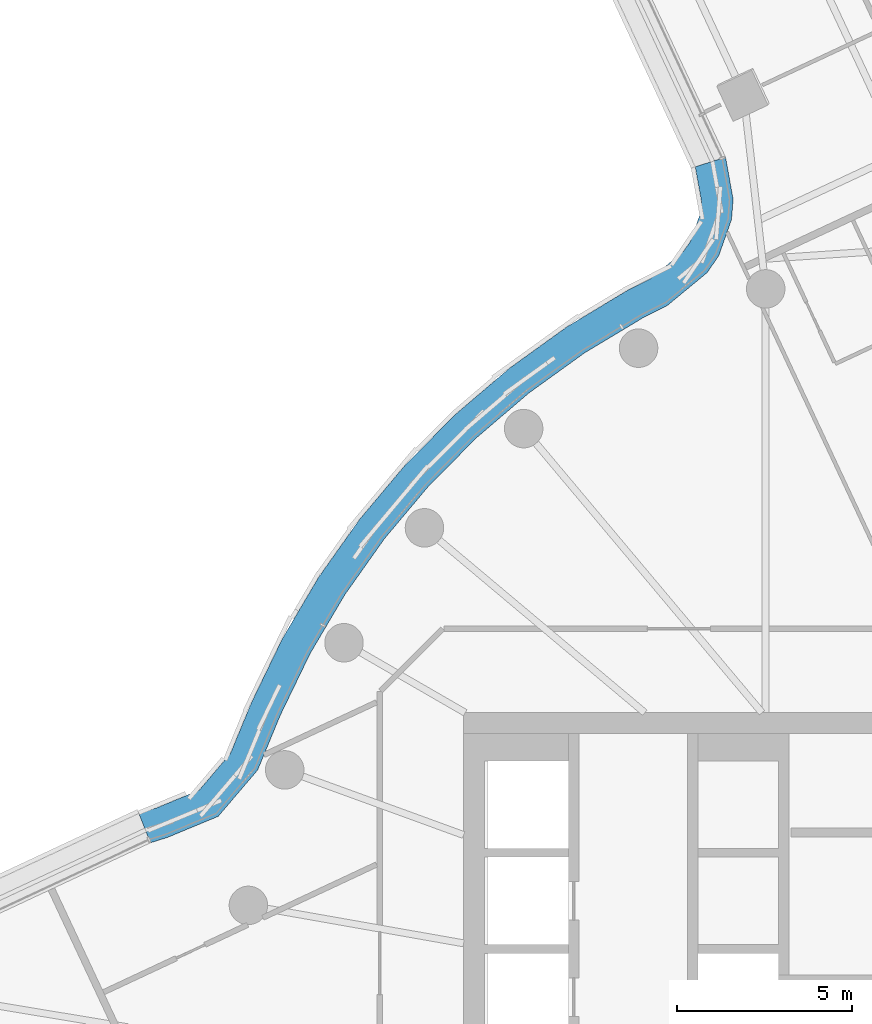
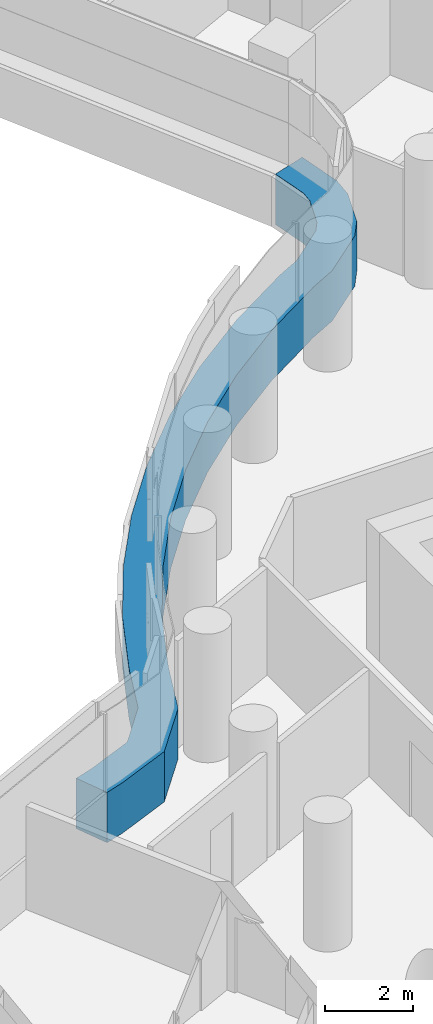
# One storey, part 14 of 36: 1 member, 1 element without a shape of its own.
"""IFC4 building model written with IfcOpenShell, lengths in metres."""

from ifc_helpers import new_model, si_unit, direction, frame, origin, place, context, subcontext, project, spatial, polyline, outline, extrude, material, layer, layer_set, type_object, element, aggregate, save


model = new_model("IFC4")

# Units and contexts
model_context = context("Model", 3, precision=1e-05, world=origin(), true_north=direction((0.0, 1.0)))
body_context = subcontext(model_context, "Body", "Model", "MODEL_VIEW")
ifc_project = project(units=[si_unit("LENGTHUNIT", "METRE"), si_unit("AREAUNIT", "SQUARE_METRE"), si_unit("VOLUMEUNIT", "CUBIC_METRE"), si_unit("PLANEANGLEUNIT", "RADIAN"), si_unit("MASSUNIT", "GRAM", prefix="KILO")], contexts=[model_context])

# Site, building, storey
site_placement = place(None, origin())
site = spatial("IfcSite", under=ifc_project, at=site_placement, CompositionType="ELEMENT")
building_placement = place(site_placement, origin())
building = spatial("IfcBuilding", under=site, at=building_placement, Name="Tamarind Cross Interchange Tower", CompositionType="ELEMENT")
storey_placement = place(building_placement, frame((0.0, 0.0, 124.75)))
storey = spatial("IfcBuildingStorey", under=building, at=storey_placement, Name="L30", CompositionType="ELEMENT", Elevation=124.75)

# Curtain wall, member
ifc_material_1 = material(Name="Aluminium 6063-T6", Category="aluminium")
ifc_layer = layer(ifc_material_1, 0.159912109375)
ifc_layer_set = layer_set([ifc_layer], Name="Aluminium 6063-T6")
curtain_wall_type = type_object("IfcCurtainWallType", Name="Office curtain wall, 9.0 m bays", PredefinedType="NOTDEFINED", material=ifc_layer_set)
curtain_wall_placement = place(storey_placement, origin())
curtain_wall = element("IfcCurtainWall", 1, at=curtain_wall_placement, inside=storey, type_object=curtain_wall_type, Name="CWS-L30-14", PredefinedType="NOTDEFINED")
ifc_material_2 = material(Name="Aluminium and insulated spandrel panel", Category="aluminium")
member_type = type_object("IfcMemberType", Name="Floor-edge blade transom", PredefinedType="USERDEFINED", material=ifc_material_2)
member_placement = place(storey_placement, origin())
member = element("IfcMember", 2, at=member_placement, type_object=member_type, Name="CWT-L30-14", ObjectType="TRANSOM", PredefinedType="USERDEFINED", context=body_context, shape_type="SweptSolid", body=[
    extrude(outline(polyline([(-9.0146484375, 25.378662109375), (-8.797119140625, 24.173828125), (-8.84375, 23.59423828125), (-9.207763671875, 22.562744140625), (-9.537353515625, 22.0791015625), (-10.67724609375, 21.13818359375), (-11.366455078125, 20.79150390625), (-13.045654296875, 19.78125), (-14.634521484375, 18.636474609375), (-16.12353515625, 17.3642578125), (-17.50244140625, 15.973388671875), (-18.76171875, 14.4736328125), (-19.892822265625, 12.874755859375), (-20.88818359375, 11.188232421875), (-21.7421875, 9.421630859375), (-22.38720703125, 7.85986328125), (-23.5146484375, 6.53662109375), (-24.962158203125, 5.936767578125), (-25.45361328125, 5.78125), (-25.781494140625, 6.621337890625), (-25.27099609375, 6.783203125), (-24.05908203125, 7.28515625), (-23.164794921875, 8.335205078125), (-22.56396484375, 9.789794921875), (-21.68212890625, 11.613525390625), (-20.64892578125, 13.3642578125), (-19.474853515625, 15.023681640625), (-18.167724609375, 16.580810546875), (-16.736572265625, 18.0244140625), (-15.19091796875, 19.344970703125), (-13.54150390625, 20.533203125), (-11.801513671875, 21.580322265625), (-11.172119140625, 21.896728515625), (-10.208984375, 22.69189453125), (-10.017578125, 22.97265625), (-9.7314453125, 23.783203125), (-9.70361328125, 24.129150390625), (-9.879638671875, 25.10400390625), (-9.0146484375, 25.378662109375)])), origin(), (0.0, 0.0, 1.0), 1.39990234375),
])
aggregate(curtain_wall, [member])

save(model, "model.ifc")
